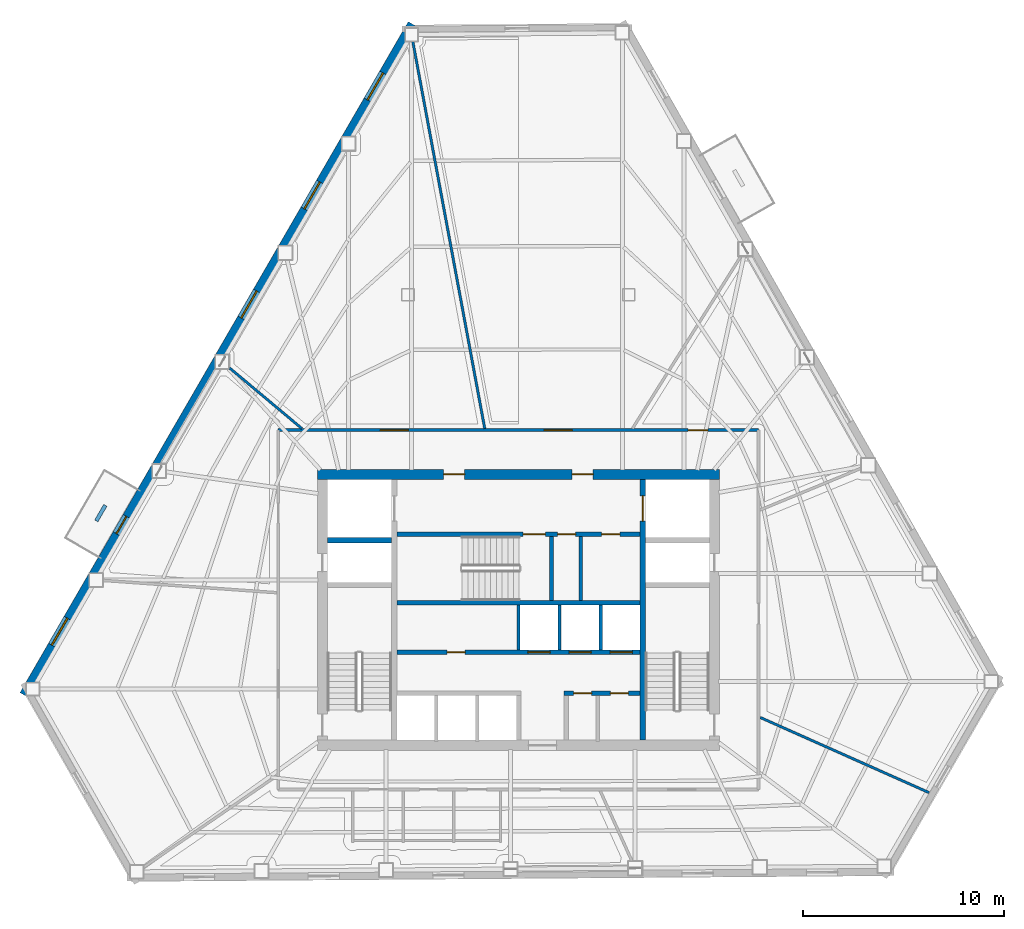
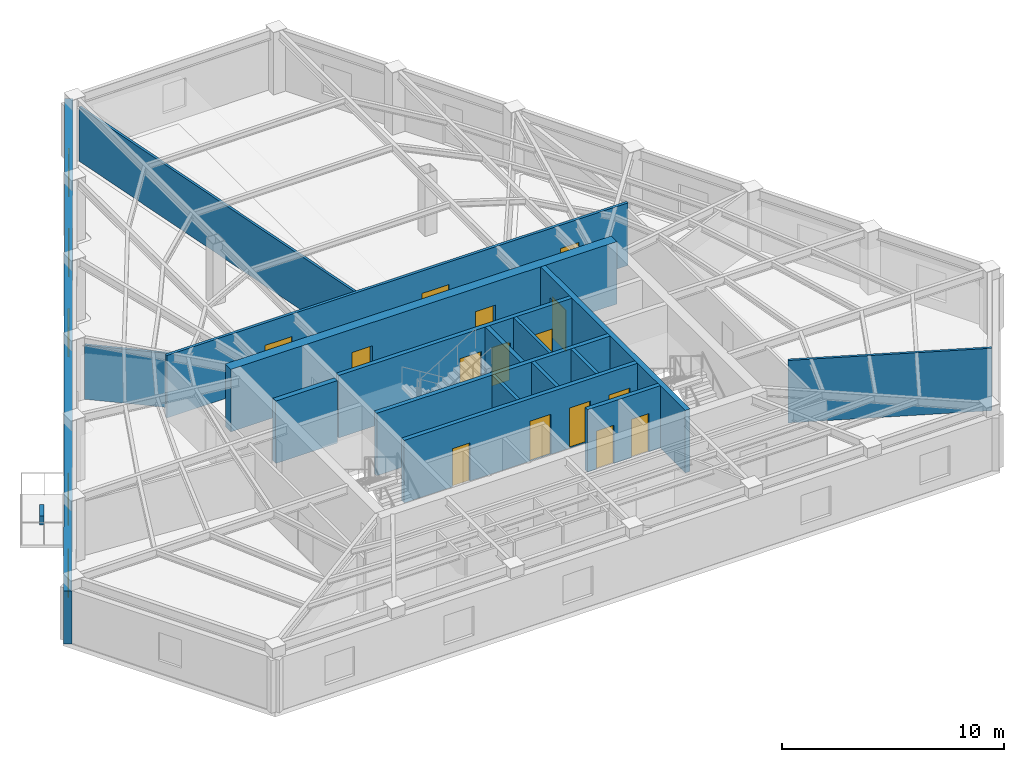
# One storey, part 6 of 10: 18 walls, 16 doors, 4 windows, 20 openings.
"""IFC4 building model written with IfcOpenShell, lengths in metres."""

from ifc_helpers import new_model, si_unit, direction, frame, frame_2d, origin, place, context, subcontext, project, spatial, rectangle, extrude, material, layer, layer_set, type_object, element, fill, save


model = new_model("IFC4")

# Units and contexts
model_context = context("Model", 3, precision=1e-05, world=origin(), true_north=direction((0.0, 1.0)))
body_context = subcontext(model_context, "Body", "Model", "MODEL_VIEW")
ifc_project = project(units=[si_unit("LENGTHUNIT", "METRE"), si_unit("AREAUNIT", "SQUARE_METRE"), si_unit("VOLUMEUNIT", "CUBIC_METRE"), si_unit("PLANEANGLEUNIT", "RADIAN"), si_unit("MASSUNIT", "GRAM", prefix="KILO")], contexts=[model_context])

# Site, building, storey
site_placement = place(None, origin())
site = spatial("IfcSite", under=ifc_project, at=site_placement, CompositionType="ELEMENT")
building_placement = place(site_placement, origin())
building = spatial("IfcBuilding", under=site, at=building_placement, Name="Kavelnor Concourse Tower", CompositionType="ELEMENT")
storey_placement = place(building_placement, frame((0.0, 0.0, 150.949951171875)))
storey = spatial("IfcBuildingStorey", under=building, at=storey_placement, Name="L38", CompositionType="ELEMENT", Elevation=150.949951171875)

# Wall, openings, doors
ifc_material_1 = material(Name="Concrete C60/75", Category="concrete")
ifc_layer_1 = layer(ifc_material_1, 0.5, Name="Concrete C60/75")
ifc_layer_set_1 = layer_set([ifc_layer_1], Name="Concrete C60/75")
wall_type_1 = type_object("IfcWallType", Name="WL-CORE-Z2-500", PredefinedType="SOLIDWALL", material=ifc_layer_set_1)
wall_1_placement = place(storey_placement, frame((27.97998046875, 22.85009765625, 0.0), z_axis=(0.0, 0.0, 1.0), x_axis=(1.0, 0.0, 0.0)))
wall_1 = element("IfcWall", 1, at=wall_1_placement, inside=storey, type_object=wall_type_1, Name="L38 Central Core North Shear Wall", PredefinedType="SOLIDWALL", context=body_context, shape_type="SweptSolid", body=[
    extrude(rectangle(XDim=20.0400390625, YDim=0.5, at=frame_2d((10.02001953125, 0.0))), origin(), (0.0, 0.0, 1.0), 3.429931640625),
])
opening_1_placement = place(wall_1_placement, frame((6.294921875, 0.0, 0.0)))
opening_1 = element("IfcOpeningElement", 2, at=opening_1_placement, cuts=wall_1, Name="Opening FD-105", PredefinedType="OPENING", context=body_context, shape_type="SweptSolid", body=[
    extrude(rectangle(XDim=1.050048828125, YDim=2.14990234375, at=frame_2d((0.52490234375, 1.074951171875))), frame((0.0, 0.260009765625, 0.0), z_axis=(0.0, -1.0, 0.0), x_axis=(1.0, 0.0, 0.0)), (0.0, 0.0, 1.0), 0.52001953125),
])
opening_2_placement = place(wall_1_placement, frame((12.695068359375, 0.0, 0.0)))
opening_2 = element("IfcOpeningElement", 3, at=opening_2_placement, cuts=wall_1, Name="Opening FD-105", PredefinedType="OPENING", context=body_context, shape_type="SweptSolid", body=[
    extrude(rectangle(XDim=1.050048828125, YDim=2.14990234375, at=frame_2d((0.52490234375, 1.074951171875))), frame((0.0, 0.260009765625, 0.0), z_axis=(0.0, -1.0, 0.0), x_axis=(1.0, 0.0, 0.0)), (0.0, 0.0, 1.0), 0.52001953125),
])
ifc_material_2 = material(Name="Steel Grade 350", Category="steel")
door_type_1 = type_object("IfcDoorType", Name="DR-LOBBY-FIRE-1050", OperationType="NOTDEFINED", PredefinedType="DOOR", material=ifc_material_2)
door_1_placement = place(opening_1_placement, origin())
door_1 = element("IfcDoor", 4, at=door_1_placement, inside=storey, type_object=door_type_1, Name="L38 Emergency Lift Lobby West Door", OperationType="SINGLE_SWING_LEFT", OverallHeight=2.14990234375, OverallWidth=1.050048828125, PredefinedType="DOOR", context=body_context, shape_type="SweptSolid", body=[
    extrude(rectangle(XDim=1.050048828125, YDim=2.14990234375, at=frame_2d((0.52490234375, 1.074951171875))), frame((0.0, 0.02490234375, 0.0), z_axis=(0.0, -1.0, 0.0), x_axis=(1.0, 0.0, 0.0)), (0.0, 0.0, 1.0), 0.050048828125),
])
fill(opening_1, door_1)
door_2_placement = place(opening_2_placement, origin())
door_2 = element("IfcDoor", 5, at=door_2_placement, inside=storey, type_object=door_type_1, Name="L38 Emergency Lift Lobby East Door", OperationType="SINGLE_SWING_RIGHT", OverallHeight=2.14990234375, OverallWidth=1.050048828125, PredefinedType="DOOR", context=body_context, shape_type="SweptSolid", body=[
    extrude(rectangle(XDim=1.050048828125, YDim=2.14990234375, at=frame_2d((0.52490234375, 1.074951171875))), frame((0.0, 0.02490234375, 0.0), z_axis=(0.0, -1.0, 0.0), x_axis=(1.0, 0.0, 0.0)), (0.0, 0.0, 1.0), 0.050048828125),
])
fill(opening_2, door_2)

# Wall, openings, door, windows
ifc_material_3 = material(Name="Red-ochre clay face brick masonry", Category="masonry")
ifc_layer_2 = layer(ifc_material_3, 0.3798828125, Name="Red-ochre clay face brick masonry")
ifc_layer_set_2 = layer_set([ifc_layer_2], Name="Red-ochre clay face brick masonry")
wall_type_2 = type_object("IfcWallType", Name="WL-EXT-RED-BRICK-PIER-380", PredefinedType="STANDARD", material=ifc_layer_set_2)
wall_2_placement = place(storey_placement, frame((13.327392578125, 11.87890625, 0.0), z_axis=(0.0, 0.0, 1.0), x_axis=(0.500913687278, 0.865497243148, 0.0)))
wall_2 = element("IfcWall", 6, at=wall_2_placement, inside=storey, type_object=wall_type_2, Name="L38 Exterior Brick Facade Wall E1", PredefinedType="STANDARD", context=body_context, shape_type="SweptSolid", body=[
    extrude(rectangle(XDim=38.627685546875, YDim=0.3798828125, at=frame_2d((19.31396484375, 0.0))), origin(), (0.0, 0.0, 1.0), 2.88916015625),
])
opening_3_placement = place(wall_2_placement, frame((9.2568359375, 0.0, 0.0)))
opening_3 = element("IfcOpeningElement", 7, at=opening_3_placement, cuts=wall_2, Name="Opening BD-100", PredefinedType="OPENING", context=body_context, shape_type="SweptSolid", body=[
    extrude(rectangle(XDim=1.0, YDim=2.199951171875, at=frame_2d((0.5, 1.10009765625))), frame((0.0, 0.199951171875, 0.0), z_axis=(0.0, -1.0, 0.0), x_axis=(1.0, 0.0, 0.0)), (0.0, 0.0, 1.0), 0.39990234375),
])
opening_4_placement = place(wall_2_placement, frame((34.238525390625, 0.0, 0.550048828125)))
opening_4 = element("IfcOpeningElement", 8, at=opening_4_placement, cuts=wall_2, Name="Opening W-02", PredefinedType="OPENING", context=body_context, shape_type="SweptSolid", body=[
    extrude(rectangle(XDim=1.550048828125, YDim=1.60009765625, at=frame_2d((0.77490234375, 0.800048828125))), frame((0.0, 0.199951171875, 0.0), z_axis=(0.0, -1.0, 0.0), x_axis=(1.0, 0.0, 0.0)), (0.0, 0.0, 1.0), 0.39990234375),
])
opening_5_placement = place(wall_2_placement, frame((27.958984375, 0.0, 0.550048828125)))
opening_5 = element("IfcOpeningElement", 9, at=opening_5_placement, cuts=wall_2, Name="Opening W-02", PredefinedType="OPENING", context=body_context, shape_type="SweptSolid", body=[
    extrude(rectangle(XDim=1.550048828125, YDim=1.60009765625, at=frame_2d((0.77490234375, 0.800048828125))), frame((0.0, 0.199951171875, 0.0), z_axis=(0.0, -1.0, 0.0), x_axis=(1.0, 0.0, 0.0)), (0.0, 0.0, 1.0), 0.39990234375),
])
opening_6_placement = place(wall_2_placement, frame((21.67919921875, 0.0, 0.550048828125)))
opening_6 = element("IfcOpeningElement", 10, at=opening_6_placement, cuts=wall_2, Name="Opening W-02", PredefinedType="OPENING", context=body_context, shape_type="SweptSolid", body=[
    extrude(rectangle(XDim=1.550048828125, YDim=1.60009765625, at=frame_2d((0.77490234375, 0.800048828125))), frame((0.0, 0.199951171875, 0.0), z_axis=(0.0, -1.0, 0.0), x_axis=(1.0, 0.0, 0.0)), (0.0, 0.0, 1.0), 0.39990234375),
])
opening_7_placement = place(wall_2_placement, frame((2.840087890625, 0.0, 0.550048828125)))
opening_7 = element("IfcOpeningElement", 11, at=opening_7_placement, cuts=wall_2, Name="Opening W-02", PredefinedType="OPENING", context=body_context, shape_type="SweptSolid", body=[
    extrude(rectangle(XDim=1.550048828125, YDim=1.60009765625, at=frame_2d((0.77490234375, 0.800048828125))), frame((0.0, 0.199951171875, 0.0), z_axis=(0.0, -1.0, 0.0), x_axis=(1.0, 0.0, 0.0)), (0.0, 0.0, 1.0), 0.39990234375),
])
ifc_material_4 = material(Name="Anodised aluminium 6063-T6", Category="aluminium")
door_type_2 = type_object("IfcDoorType", Name="DR-BALCONY-EXT-1000", OperationType="NOTDEFINED", PredefinedType="DOOR", material=ifc_material_4)
door_3_placement = place(opening_3_placement, origin())
door_3 = element("IfcDoor", 12, at=door_3_placement, inside=storey, type_object=door_type_2, Name="L38 Tree Balcony 2 Glazed Door", OperationType="SINGLE_SWING_RIGHT", OverallHeight=2.199951171875, OverallWidth=1.0, PredefinedType="DOOR", context=body_context, shape_type="SweptSolid", body=[
    extrude(rectangle(XDim=1.0, YDim=2.199951171875, at=frame_2d((0.5, 1.10009765625))), frame((0.0, 0.02490234375, 0.0), z_axis=(0.0, -1.0, 0.0), x_axis=(1.0, 0.0, 0.0)), (0.0, 0.0, 1.0), 0.050048828125),
])
fill(opening_3, door_3)
ifc_material_5 = material(Name="Double low-E argon insulated glazing", Category="glass")
window_type = type_object("IfcWindowType", Name="WIN-PIER-Z2-1650", PartitioningType="SINGLE_PANEL", PredefinedType="WINDOW", material=ifc_material_5)
window_1_placement = place(opening_4_placement, origin())
window_1 = element("IfcWindow", 13, at=window_1_placement, inside=storey, type_object=window_type, Name="L38 Deep-Set Brick Pier Window F0-B0", OverallHeight=1.60009765625, OverallWidth=1.550048828125, PartitioningType="SINGLE_PANEL", PredefinedType="WINDOW", context=body_context, shape_type="SweptSolid", body=[
    extrude(rectangle(XDim=1.550048828125, YDim=1.60009765625, at=frame_2d((0.77490234375, 0.800048828125))), frame((0.0, 0.030029296875, 0.0), z_axis=(0.0, -1.0, 0.0), x_axis=(1.0, 0.0, 0.0)), (0.0, 0.0, 1.0), 0.06005859375),
])
fill(opening_4, window_1)
window_2_placement = place(opening_5_placement, origin())
window_2 = element("IfcWindow", 14, at=window_2_placement, inside=storey, type_object=window_type, Name="L38 Deep-Set Brick Pier Window F0-B1", OverallHeight=1.60009765625, OverallWidth=1.550048828125, PartitioningType="SINGLE_PANEL", PredefinedType="WINDOW", context=body_context, shape_type="SweptSolid", body=[
    extrude(rectangle(XDim=1.550048828125, YDim=1.60009765625, at=frame_2d((0.77490234375, 0.800048828125))), frame((0.0, 0.030029296875, 0.0), z_axis=(0.0, -1.0, 0.0), x_axis=(1.0, 0.0, 0.0)), (0.0, 0.0, 1.0), 0.06005859375),
])
fill(opening_5, window_2)
window_3_placement = place(opening_6_placement, origin())
window_3 = element("IfcWindow", 15, at=window_3_placement, inside=storey, type_object=window_type, Name="L38 Deep-Set Brick Pier Window F0-B2", OverallHeight=1.60009765625, OverallWidth=1.550048828125, PartitioningType="SINGLE_PANEL", PredefinedType="WINDOW", context=body_context, shape_type="SweptSolid", body=[
    extrude(rectangle(XDim=1.550048828125, YDim=1.60009765625, at=frame_2d((0.77490234375, 0.800048828125))), frame((0.0, 0.030029296875, 0.0), z_axis=(0.0, -1.0, 0.0), x_axis=(1.0, 0.0, 0.0)), (0.0, 0.0, 1.0), 0.06005859375),
])
fill(opening_6, window_3)
window_4_placement = place(opening_7_placement, origin())
window_4 = element("IfcWindow", 16, at=window_4_placement, inside=storey, type_object=window_type, Name="L38 Deep-Set Brick Pier Window F0-B5", OverallHeight=1.60009765625, OverallWidth=1.550048828125, PartitioningType="SINGLE_PANEL", PredefinedType="WINDOW", context=body_context, shape_type="SweptSolid", body=[
    extrude(rectangle(XDim=1.550048828125, YDim=1.60009765625, at=frame_2d((0.77490234375, 0.800048828125))), frame((0.0, 0.030029296875, 0.0), z_axis=(0.0, -1.0, 0.0), x_axis=(1.0, 0.0, 0.0)), (0.0, 0.0, 1.0), 0.06005859375),
])
fill(opening_7, window_4)

# Wall, openings, doors
ifc_material_6 = material(Name="Gypsum plasterboard on light-gauge steel studs", Category="steel")
ifc_layer_3 = layer(ifc_material_6, 0.14501953125, Name="Gypsum plasterboard on light-gauge steel studs")
ifc_layer_set_3 = layer_set([ifc_layer_3], Name="Gypsum plasterboard on light-gauge steel studs")
wall_type_3 = type_object("IfcWallType", Name="WL-INT-CORR-145", PredefinedType="PARTITIONING", material=ifc_layer_set_3)
wall_3_placement = place(storey_placement, frame((49.969970703125, 25.050048828125, 0.0), z_axis=(0.0, 0.0, 1.0), x_axis=(-1.0, 0.0, 0.0)))
wall_3 = element("IfcWall", 17, at=wall_3_placement, inside=storey, type_object=wall_type_3, Name="L38 Corridor Wall WL-L38-CR-02", PredefinedType="PARTITIONING", context=body_context, shape_type="SweptSolid", body=[
    extrude(rectangle(XDim=23.93994140625, YDim=0.14501953125, at=frame_2d((11.969970703125, 0.0))), origin(), (0.0, 0.0, 1.0), 3.429931640625),
])
opening_8_placement = place(wall_3_placement, frame((2.535888671875, 0.0, 0.0)))
opening_8 = element("IfcOpeningElement", 18, at=opening_8_placement, cuts=wall_3, Name="Opening OD-098", PredefinedType="OPENING", context=body_context, shape_type="SweptSolid", body=[
    extrude(rectangle(XDim=0.97998046875, YDim=2.14990234375, at=frame_2d((0.489990234375, 1.074951171875))), frame((0.0, 0.08251953125, 0.0), z_axis=(0.0, -1.0, 0.0), x_axis=(1.0, 0.0, 0.0)), (0.0, 0.0, 1.0), 0.1650390625),
])
opening_9_placement = place(wall_3_placement, frame((9.289306640625, 0.0, 0.0)))
opening_9 = element("IfcOpeningElement", 19, at=opening_9_placement, cuts=wall_3, Name="Opening SD-140", PredefinedType="OPENING", context=body_context, shape_type="SweptSolid", body=[
    extrude(rectangle(XDim=1.39990234375, YDim=2.199951171875, at=frame_2d((0.699951171875, 1.10009765625))), frame((0.0, 0.08251953125, 0.0), z_axis=(0.0, -1.0, 0.0), x_axis=(1.0, 0.0, 0.0)), (0.0, 0.0, 1.0), 0.1650390625),
])
opening_10_placement = place(wall_3_placement, frame((17.451416015625, 0.0, 0.0)))
opening_10 = element("IfcOpeningElement", 20, at=opening_10_placement, cuts=wall_3, Name="Opening SD-140", PredefinedType="OPENING", context=body_context, shape_type="SweptSolid", body=[
    extrude(rectangle(XDim=1.39990234375, YDim=2.199951171875, at=frame_2d((0.699951171875, 1.10009765625))), frame((0.0, 0.08251953125, 0.0), z_axis=(0.0, -1.0, 0.0), x_axis=(1.0, 0.0, 0.0)), (0.0, 0.0, 1.0), 0.1650390625),
])
ifc_material_7 = material(Name="Solid-core hardwood timber", Category="wood")
door_type_3 = type_object("IfcDoorType", Name="DR-OFFICE-980", OperationType="NOTDEFINED", PredefinedType="DOOR", material=ifc_material_7)
door_4_placement = place(opening_8_placement, origin())
door_4 = element("IfcDoor", 21, at=door_4_placement, inside=storey, type_object=door_type_3, Name="L38 Executive Dining Room 01 Door", OperationType="SINGLE_SWING_RIGHT", OverallHeight=2.14990234375, OverallWidth=0.97998046875, PredefinedType="DOOR", context=body_context, shape_type="SweptSolid", body=[
    extrude(rectangle(XDim=0.97998046875, YDim=2.14990234375, at=frame_2d((0.489990234375, 1.074951171875))), frame((0.0, 0.02490234375, 0.0), z_axis=(0.0, -1.0, 0.0), x_axis=(1.0, 0.0, 0.0)), (0.0, 0.0, 1.0), 0.050048828125),
])
fill(opening_8, door_4)
door_type_4 = type_object("IfcDoorType", Name="DR-SUITE-ENTRY-1400", OperationType="NOTDEFINED", PredefinedType="DOOR", material=ifc_material_7)
door_5_placement = place(opening_9_placement, origin())
door_5 = element("IfcDoor", 22, at=door_5_placement, inside=storey, type_object=door_type_4, Name="L38 Tenant Bookstore Retail Shop 02 Door", OperationType="SINGLE_SWING_LEFT", OverallHeight=2.199951171875, OverallWidth=1.39990234375, PredefinedType="DOOR", context=body_context, shape_type="SweptSolid", body=[
    extrude(rectangle(XDim=1.39990234375, YDim=2.199951171875, at=frame_2d((0.699951171875, 1.10009765625))), frame((0.0, 0.02490234375, 0.0), z_axis=(0.0, -1.0, 0.0), x_axis=(1.0, 0.0, 0.0)), (0.0, 0.0, 1.0), 0.050048828125),
])
fill(opening_9, door_5)
door_6_placement = place(opening_10_placement, origin())
door_6 = element("IfcDoor", 23, at=door_6_placement, inside=storey, type_object=door_type_4, Name="L38 Architectural Design Studio 03 Door", OperationType="SINGLE_SWING_RIGHT", OverallHeight=2.199951171875, OverallWidth=1.39990234375, PredefinedType="DOOR", context=body_context, shape_type="SweptSolid", body=[
    extrude(rectangle(XDim=1.39990234375, YDim=2.199951171875, at=frame_2d((0.699951171875, 1.10009765625))), frame((0.0, 0.02490234375, 0.0), z_axis=(0.0, -1.0, 0.0), x_axis=(1.0, 0.0, 0.0)), (0.0, 0.0, 1.0), 0.050048828125),
])
fill(opening_10, door_6)

# Walls
ifc_layer_4 = layer(ifc_material_6, 0.1650390625, Name="Gypsum plasterboard on light-gauge steel studs")
ifc_layer_set_4 = layer_set([ifc_layer_4], Name="Gypsum plasterboard on light-gauge steel studs")
wall_type_4 = type_object("IfcWallType", Name="WL-INT-FIRE-165", PredefinedType="PARTITIONING", material=ifc_layer_set_4)
for number, where, z_axis, x_axis, name in (
    (24, (38.0, 14.10009765625, 0.0), (0.0, 0.0, 1.0), (0.0, 1.0, 0.0), "L38 Reclaimed Core Zone Partition"),
    (25, (40.050048828125, 14.10009765625, 0.0), (0.0, 0.0, 1.0), (0.0, 1.0, 0.0), "L38 Lift Shaft Divider LP4"),
    (26, (42.10009765625, 14.10009765625, 0.0), (0.0, 0.0, 1.0), (0.0, 1.0, 0.0), "L38 Lift Shaft Divider LP5"),
):
    element("IfcWall", number, at=place(storey_placement, frame(where, z_axis=z_axis, x_axis=x_axis)), inside=storey, type_object=wall_type_4, Name=name, PredefinedType="PARTITIONING", context=body_context, shape_type="SweptSolid", body=[
        extrude(rectangle(XDim=2.239990234375, YDim=0.1650390625, at=frame_2d((1.1201171875, 0.0))), origin(), (0.0, 0.0, 1.0), 3.429931640625),
    ])
wall_4_placement = place(storey_placement, frame((41.10009765625, 16.56005859375, 0.0), z_axis=(0.0, 0.0, 1.0), x_axis=(0.0, 1.0, 0.0)))
element("IfcWall", 27, at=wall_4_placement, inside=storey, type_object=wall_type_4, Name="L38 Core Support West Divider", PredefinedType="PARTITIONING", context=body_context, shape_type="SweptSolid", body=[
    extrude(rectangle(XDim=3.199951171875, YDim=0.1650390625, at=frame_2d((1.60009765625, 0.0))), origin(), (0.0, 0.0, 1.0), 3.429931640625),
])
ifc_layer_5 = layer(ifc_material_6, 0.125, Name="Gypsum plasterboard on light-gauge steel studs")
ifc_layer_set_5 = layer_set([ifc_layer_5], Name="Gypsum plasterboard on light-gauge steel studs")
wall_type_5 = type_object("IfcWallType", Name="WL-INT-SUITE-125", PredefinedType="PARTITIONING", material=ifc_layer_set_5)
wall_5_placement = place(storey_placement, frame((36.32177734375, 25.130615234375, 0.0), z_axis=(0.0, 0.0, 1.0), x_axis=(-0.182723840281, 0.983164278335, 0.0)))
element("IfcWall", 28, at=wall_5_placement, inside=storey, type_object=wall_type_5, Name="L38 Radial Suite Partition 03", PredefinedType="PARTITIONING", context=body_context, shape_type="SweptSolid", body=[
    extrude(rectangle(XDim=19.616943359375, YDim=0.125, at=frame_2d((9.80859375, 0.0))), origin(), (0.0, 0.0, 1.0), 2.970947265625),
])
wall_6_placement = place(storey_placement, frame((27.213134765625, 25.130615234375, 0.0), z_axis=(0.0, 0.0, 1.0), x_axis=(-0.766769547329, 0.641922472958, 0.0)))
element("IfcWall", 29, at=wall_6_placement, inside=storey, type_object=wall_type_5, Name="L38 Radial Suite Partition 04", PredefinedType="PARTITIONING", context=body_context, shape_type="SweptSolid", body=[
    extrude(rectangle(XDim=4.70703125, YDim=0.125, at=frame_2d((2.353515625, 0.0))), origin(), (0.0, 0.0, 1.0), 2.970947265625),
])
wall_7_placement = place(storey_placement, frame((50.050537109375, 10.73486328125, 0.0), z_axis=(0.0, 0.0, 1.0), x_axis=(0.913538089358, -0.406753192111, 0.0)))
element("IfcWall", 30, at=wall_7_placement, inside=storey, type_object=wall_type_5, Name="L38 Radial Suite Partition 08", PredefinedType="PARTITIONING", context=body_context, shape_type="SweptSolid", body=[
    extrude(rectangle(XDim=9.2109375, YDim=0.125, at=frame_2d((4.60546875, 0.0))), origin(), (0.0, 0.0, 1.0), 3.429931640625),
])
ifc_material_8 = material(Name="Architectural precast planter concrete C40/50", Category="concrete")
ifc_layer_6 = layer(ifc_material_8, 0.18994140625, Name="Architectural precast planter concrete C40/50")
ifc_layer_set_6 = layer_set([ifc_layer_6], Name="Architectural precast planter concrete C40/50")
wall_type_6 = type_object("IfcWallType", Name="WL-PLANTER-KERB-190", PredefinedType="USERDEFINED", material=ifc_layer_set_6)
wall_8_placement = place(storey_placement, frame((17.414794921875, 21.306396484375, 0.0), z_axis=(0.0, 0.0, 1.0), x_axis=(-0.501068351936, -0.865407711248, 0.0)))
element("IfcWall", 31, at=wall_8_placement, inside=storey, type_object=wall_type_6, Name="L38 Tree Balcony 2 Tree Planter Kerb", ObjectType="PLANTER", PredefinedType="USERDEFINED", context=body_context, shape_type="SweptSolid", body=[
    extrude(rectangle(XDim=0.89990234375, YDim=0.18994140625, at=frame_2d((0.449951171875, 0.0))), origin(), (0.0, 0.0, 1.0), 0.5),
])

# Wall, openings, doors
ifc_material_9 = material(Name="Concrete C50/60", Category="concrete")
ifc_layer_7 = layer(ifc_material_9, 0.219970703125, Name="Concrete C50/60")
ifc_layer_set_7 = layer_set([ifc_layer_7], Name="Concrete C50/60")
wall_type_7 = type_object("IfcWallType", Name="WL-SHAFT-220", PredefinedType="SOLIDWALL", material=ifc_layer_set_7)
wall_9_placement = place(storey_placement, frame((31.93994140625, 19.8701171875, 0.0), z_axis=(0.0, 0.0, 1.0), x_axis=(1.0, 0.0, 0.0)))
wall_9 = element("IfcWall", 32, at=wall_9_placement, inside=storey, type_object=wall_type_7, Name="L38 Emergency Lift Lobby South Wall", PredefinedType="SOLIDWALL", context=body_context, shape_type="SweptSolid", body=[
    extrude(rectangle(XDim=12.1201171875, YDim=0.219970703125, at=frame_2d((6.06005859375, 0.0))), origin(), (0.0, 0.0, 1.0), 3.429931640625),
])
opening_11_placement = place(wall_9_placement, frame((6.300048828125, 0.0, 0.0)))
opening_11 = element("IfcOpeningElement", 33, at=opening_11_placement, cuts=wall_9, Name="Opening FD-110", PredefinedType="OPENING", context=body_context, shape_type="SweptSolid", body=[
    extrude(rectangle(XDim=1.10009765625, YDim=2.14990234375, at=frame_2d((0.550048828125, 1.074951171875))), frame((0.0, 0.1201171875, 0.0), z_axis=(0.0, -1.0, 0.0), x_axis=(1.0, 0.0, 0.0)), (0.0, 0.0, 1.0), 0.239990234375),
])
opening_12_placement = place(wall_9_placement, frame((8.010009765625, 0.0, 0.0)))
opening_12 = element("IfcOpeningElement", 34, at=opening_12_placement, cuts=wall_9, Name="Opening FD-090", PredefinedType="OPENING", context=body_context, shape_type="SweptSolid", body=[
    extrude(rectangle(XDim=0.89990234375, YDim=2.10009765625, at=frame_2d((0.449951171875, 1.050048828125))), frame((0.0, 0.1201171875, 0.0), z_axis=(0.0, -1.0, 0.0), x_axis=(1.0, 0.0, 0.0)), (0.0, 0.0, 1.0), 0.239990234375),
])
opening_13_placement = place(wall_9_placement, frame((10.2099609375, 0.0, 0.0)))
opening_13 = element("IfcOpeningElement", 35, at=opening_13_placement, cuts=wall_9, Name="Opening FD-090", PredefinedType="OPENING", context=body_context, shape_type="SweptSolid", body=[
    extrude(rectangle(XDim=0.89990234375, YDim=2.10009765625, at=frame_2d((0.449951171875, 1.050048828125))), frame((0.0, 0.1201171875, 0.0), z_axis=(0.0, -1.0, 0.0), x_axis=(1.0, 0.0, 0.0)), (0.0, 0.0, 1.0), 0.239990234375),
])
door_type_5 = type_object("IfcDoorType", Name="DR-RISER-FIRE-900", OperationType="NOTDEFINED", PredefinedType="DOOR", material=ifc_material_2)
door_7_placement = place(opening_12_placement, origin())
door_7 = element("IfcDoor", 36, at=door_7_placement, inside=storey, type_object=door_type_5, Name="L38 Cleaner Door", OperationType="SINGLE_SWING_RIGHT", OverallHeight=2.10009765625, OverallWidth=0.89990234375, PredefinedType="DOOR", context=body_context, shape_type="SweptSolid", body=[
    extrude(rectangle(XDim=0.89990234375, YDim=2.10009765625, at=frame_2d((0.449951171875, 1.050048828125))), frame((0.0, 0.02490234375, 0.0), z_axis=(0.0, -1.0, 0.0), x_axis=(1.0, 0.0, 0.0)), (0.0, 0.0, 1.0), 0.050048828125),
])
fill(opening_12, door_7)
door_8_placement = place(opening_13_placement, origin())
door_8 = element("IfcDoor", 37, at=door_8_placement, inside=storey, type_object=door_type_5, Name="L38 UPS Room Door", OperationType="SINGLE_SWING_LEFT", OverallHeight=2.10009765625, OverallWidth=0.89990234375, PredefinedType="DOOR", context=body_context, shape_type="SweptSolid", body=[
    extrude(rectangle(XDim=0.89990234375, YDim=2.10009765625, at=frame_2d((0.449951171875, 1.050048828125))), frame((0.0, 0.02490234375, 0.0), z_axis=(0.0, -1.0, 0.0), x_axis=(1.0, 0.0, 0.0)), (0.0, 0.0, 1.0), 0.050048828125),
])
fill(opening_13, door_8)
door_type_6 = type_object("IfcDoorType", Name="DR-STAIR-FIRE-1100", OperationType="NOTDEFINED", PredefinedType="DOOR", material=ifc_material_2)
door_9_placement = place(opening_11_placement, origin())
door_9 = element("IfcDoor", 38, at=door_9_placement, inside=storey, type_object=door_type_6, Name="L38 Stair ST3 Fire Door", OperationType="SINGLE_SWING_LEFT", OverallHeight=2.14990234375, OverallWidth=1.10009765625, PredefinedType="DOOR", context=body_context, shape_type="SweptSolid", body=[
    extrude(rectangle(XDim=1.10009765625, YDim=2.14990234375, at=frame_2d((0.550048828125, 1.074951171875))), frame((0.0, 0.02490234375, 0.0), z_axis=(0.0, -1.0, 0.0), x_axis=(1.0, 0.0, 0.0)), (0.0, 0.0, 1.0), 0.050048828125),
])
fill(opening_11, door_9)

# Walls
wall_10_placement = place(storey_placement, frame((31.93994140625, 16.449951171875, 0.0), z_axis=(0.0, 0.0, 1.0), x_axis=(1.0, 0.0, 0.0)))
element("IfcWall", 39, at=wall_10_placement, inside=storey, type_object=wall_type_7, Name="L38 Stair ST3 South Core Wall", PredefinedType="SOLIDWALL", context=body_context, shape_type="SweptSolid", body=[
    extrude(rectangle(XDim=12.1201171875, YDim=0.219970703125, at=frame_2d((6.06005859375, 0.0))), origin(), (0.0, 0.0, 1.0), 3.429931640625),
])
wall_11_placement = place(storey_placement, frame((39.64990234375, 16.56005859375, 0.0), z_axis=(0.0, 0.0, 1.0), x_axis=(0.0, 1.0, 0.0)))
element("IfcWall", 40, at=wall_11_placement, inside=storey, type_object=wall_type_7, Name="L38 Stair ST3 East Core Wall", PredefinedType="SOLIDWALL", context=body_context, shape_type="SweptSolid", body=[
    extrude(rectangle(XDim=3.199951171875, YDim=0.219970703125, at=frame_2d((1.60009765625, 0.0))), origin(), (0.0, 0.0, 1.0), 3.429931640625),
])

# Wall, openings, doors
wall_12_placement = place(storey_placement, frame((31.93994140625, 13.989990234375, 0.0), z_axis=(0.0, 0.0, 1.0), x_axis=(1.0, 0.0, 0.0)))
wall_12 = element("IfcWall", 41, at=wall_12_placement, inside=storey, type_object=wall_type_7, Name="L38 North Lift Row Shaft Wall", PredefinedType="SOLIDWALL", context=body_context, shape_type="SweptSolid", body=[
    extrude(rectangle(XDim=12.1201171875, YDim=0.219970703125, at=frame_2d((6.06005859375, 0.0))), origin(), (0.0, 0.0, 1.0), 3.429931640625),
])
opening_14_placement = place(wall_12_placement, frame((2.510009765625, 0.0, 0.0)))
opening_14 = element("IfcOpeningElement", 42, at=opening_14_placement, cuts=wall_12, Name="Opening FD-090", PredefinedType="OPENING", context=body_context, shape_type="SweptSolid", body=[
    extrude(rectangle(XDim=0.89990234375, YDim=2.10009765625, at=frame_2d((0.449951171875, 1.050048828125))), frame((0.0, 0.1201171875, 0.0), z_axis=(0.0, -1.0, 0.0), x_axis=(1.0, 0.0, 0.0)), (0.0, 0.0, 1.0), 0.239990234375),
])
opening_15_placement = place(wall_12_placement, frame((6.534912109375, 0.0, 0.0)))
opening_15 = element("IfcOpeningElement", 43, at=opening_15_placement, cuts=wall_12, Name="Opening LD-110", PredefinedType="OPENING", context=body_context, shape_type="SweptSolid", body=[
    extrude(rectangle(XDim=1.10009765625, YDim=2.199951171875, at=frame_2d((0.550048828125, 1.10009765625))), frame((0.0, 0.1201171875, 0.0), z_axis=(0.0, -1.0, 0.0), x_axis=(1.0, 0.0, 0.0)), (0.0, 0.0, 1.0), 0.239990234375),
])
opening_16_placement = place(wall_12_placement, frame((8.5849609375, 0.0, 0.0)))
opening_16 = element("IfcOpeningElement", 44, at=opening_16_placement, cuts=wall_12, Name="Opening LD-110", PredefinedType="OPENING", context=body_context, shape_type="SweptSolid", body=[
    extrude(rectangle(XDim=1.10009765625, YDim=2.199951171875, at=frame_2d((0.550048828125, 1.10009765625))), frame((0.0, 0.1201171875, 0.0), z_axis=(0.0, -1.0, 0.0), x_axis=(1.0, 0.0, 0.0)), (0.0, 0.0, 1.0), 0.239990234375),
])
opening_17_placement = place(wall_12_placement, frame((10.635009765625, 0.0, 0.0)))
opening_17 = element("IfcOpeningElement", 45, at=opening_17_placement, cuts=wall_12, Name="Opening LD-110", PredefinedType="OPENING", context=body_context, shape_type="SweptSolid", body=[
    extrude(rectangle(XDim=1.10009765625, YDim=2.199951171875, at=frame_2d((0.550048828125, 1.10009765625))), frame((0.0, 0.1201171875, 0.0), z_axis=(0.0, -1.0, 0.0), x_axis=(1.0, 0.0, 0.0)), (0.0, 0.0, 1.0), 0.239990234375),
])
door_type_7 = type_object("IfcDoorType", Name="DR-LIFT-SLIDING-1100", OperationType="NOTDEFINED", PredefinedType="DOOR", material=ifc_material_2)
door_10_placement = place(opening_15_placement, origin())
door_10 = element("IfcDoor", 46, at=door_10_placement, inside=storey, type_object=door_type_7, Name="L38 Lift LP4 Landing Door", OperationType="DOUBLE_DOOR_SLIDING", OverallHeight=2.199951171875, OverallWidth=1.10009765625, PredefinedType="DOOR", context=body_context, shape_type="SweptSolid", body=[
    extrude(rectangle(XDim=1.10009765625, YDim=2.199951171875, at=frame_2d((0.550048828125, 1.10009765625))), frame((0.0, 0.02490234375, 0.0), z_axis=(0.0, -1.0, 0.0), x_axis=(1.0, 0.0, 0.0)), (0.0, 0.0, 1.0), 0.050048828125),
])
fill(opening_15, door_10)
door_11_placement = place(opening_16_placement, origin())
door_11 = element("IfcDoor", 47, at=door_11_placement, inside=storey, type_object=door_type_7, Name="L38 Lift LP5 Landing Door", OperationType="DOUBLE_DOOR_SLIDING", OverallHeight=2.199951171875, OverallWidth=1.10009765625, PredefinedType="DOOR", context=body_context, shape_type="SweptSolid", body=[
    extrude(rectangle(XDim=1.10009765625, YDim=2.199951171875, at=frame_2d((0.550048828125, 1.10009765625))), frame((0.0, 0.02490234375, 0.0), z_axis=(0.0, -1.0, 0.0), x_axis=(1.0, 0.0, 0.0)), (0.0, 0.0, 1.0), 0.050048828125),
])
fill(opening_16, door_11)
door_12_placement = place(opening_17_placement, origin())
door_12 = element("IfcDoor", 48, at=door_12_placement, inside=storey, type_object=door_type_7, Name="L38 Lift LP6 Landing Door", OperationType="DOUBLE_DOOR_SLIDING", OverallHeight=2.199951171875, OverallWidth=1.10009765625, PredefinedType="DOOR", context=body_context, shape_type="SweptSolid", body=[
    extrude(rectangle(XDim=1.10009765625, YDim=2.199951171875, at=frame_2d((0.550048828125, 1.10009765625))), frame((0.0, 0.02490234375, 0.0), z_axis=(0.0, -1.0, 0.0), x_axis=(1.0, 0.0, 0.0)), (0.0, 0.0, 1.0), 0.050048828125),
])
fill(opening_17, door_12)
door_13_placement = place(opening_14_placement, origin())
door_13 = element("IfcDoor", 49, at=door_13_placement, inside=storey, type_object=door_type_5, Name="L38 Core IT Room Door", OperationType="SINGLE_SWING_LEFT", OverallHeight=2.10009765625, OverallWidth=0.89990234375, PredefinedType="DOOR", context=body_context, shape_type="SweptSolid", body=[
    extrude(rectangle(XDim=0.89990234375, YDim=2.10009765625, at=frame_2d((0.449951171875, 1.050048828125))), frame((0.0, 0.02490234375, 0.0), z_axis=(0.0, -1.0, 0.0), x_axis=(1.0, 0.0, 0.0)), (0.0, 0.0, 1.0), 0.050048828125),
])
fill(opening_14, door_13)

wall_13_placement = place(storey_placement, frame((40.280029296875, 11.949951171875, 0.0), z_axis=(0.0, 0.0, 1.0), x_axis=(1.0, 0.0, 0.0)))
wall_13 = element("IfcWall", 50, at=wall_13_placement, inside=storey, type_object=wall_type_7, Name="L38 Core South Support North Wall", PredefinedType="SOLIDWALL", context=body_context, shape_type="SweptSolid", body=[
    extrude(rectangle(XDim=3.780029296875, YDim=0.219970703125, at=frame_2d((1.89013671875, 0.0))), origin(), (0.0, 0.0, 1.0), 3.429931640625),
])
opening_18_placement = place(wall_13_placement, frame((0.469970703125, 0.0, 0.0)))
opening_18 = element("IfcOpeningElement", 51, at=opening_18_placement, cuts=wall_13, Name="Opening FD-090", PredefinedType="OPENING", context=body_context, shape_type="SweptSolid", body=[
    extrude(rectangle(XDim=0.89990234375, YDim=2.10009765625, at=frame_2d((0.449951171875, 1.050048828125))), frame((0.0, 0.1201171875, 0.0), z_axis=(0.0, -1.0, 0.0), x_axis=(1.0, 0.0, 0.0)), (0.0, 0.0, 1.0), 0.239990234375),
])
opening_19_placement = place(wall_13_placement, frame((2.300048828125, 0.0, 0.0)))
opening_19 = element("IfcOpeningElement", 52, at=opening_19_placement, cuts=wall_13, Name="Opening FD-090", PredefinedType="OPENING", context=body_context, shape_type="SweptSolid", body=[
    extrude(rectangle(XDim=0.89990234375, YDim=2.10009765625, at=frame_2d((0.449951171875, 1.050048828125))), frame((0.0, 0.1201171875, 0.0), z_axis=(0.0, -1.0, 0.0), x_axis=(1.0, 0.0, 0.0)), (0.0, 0.0, 1.0), 0.239990234375),
])
door_14_placement = place(opening_18_placement, origin())
door_14 = element("IfcDoor", 53, at=door_14_placement, inside=storey, type_object=door_type_5, Name="L38 Staff WC Door", OperationType="SINGLE_SWING_LEFT", OverallHeight=2.10009765625, OverallWidth=0.89990234375, PredefinedType="DOOR", context=body_context, shape_type="SweptSolid", body=[
    extrude(rectangle(XDim=0.89990234375, YDim=2.10009765625, at=frame_2d((0.449951171875, 1.050048828125))), frame((0.0, 0.02490234375, 0.0), z_axis=(0.0, -1.0, 0.0), x_axis=(1.0, 0.0, 0.0)), (0.0, 0.0, 1.0), 0.050048828125),
])
fill(opening_18, door_14)
door_15_placement = place(opening_19_placement, origin())
door_15 = element("IfcDoor", 54, at=door_15_placement, inside=storey, type_object=door_type_5, Name="L38 Core Comms Door", OperationType="SINGLE_SWING_RIGHT", OverallHeight=2.10009765625, OverallWidth=0.89990234375, PredefinedType="DOOR", context=body_context, shape_type="SweptSolid", body=[
    extrude(rectangle(XDim=0.89990234375, YDim=2.10009765625, at=frame_2d((0.449951171875, 1.050048828125))), frame((0.0, 0.02490234375, 0.0), z_axis=(0.0, -1.0, 0.0), x_axis=(1.0, 0.0, 0.0)), (0.0, 0.0, 1.0), 0.050048828125),
])
fill(opening_19, door_15)

# Wall, opening, door
ifc_layer_8 = layer(ifc_material_9, 0.260009765625, Name="Concrete C50/60")
ifc_layer_set_8 = layer_set([ifc_layer_8], Name="Concrete C50/60")
wall_type_8 = type_object("IfcWallType", Name="WL-SHAFT-260", PredefinedType="SHEAR", material=ifc_layer_set_8)
wall_14_placement = place(storey_placement, frame((44.18994140625, 9.60009765625, 0.0), z_axis=(0.0, 0.0, 1.0), x_axis=(0.0, 1.0, 0.0)))
wall_14 = element("IfcWall", 55, at=wall_14_placement, inside=storey, type_object=wall_type_8, Name="L38 Core East Wing Shear Wall", PredefinedType="SHEAR", context=body_context, shape_type="SweptSolid", body=[
    extrude(rectangle(XDim=13.0, YDim=0.260009765625, at=frame_2d((6.5, 0.0))), origin(), (0.0, 0.0, 1.0), 3.429931640625),
])
opening_20_placement = place(wall_14_placement, frame((10.925048828125, 0.0, 0.0)))
opening_20 = element("IfcOpeningElement", 56, at=opening_20_placement, cuts=wall_14, Name="Opening LD-125", PredefinedType="OPENING", context=body_context, shape_type="SweptSolid", body=[
    extrude(rectangle(XDim=1.25, YDim=2.25, at=frame_2d((0.625, 1.125))), frame((0.0, 0.14013671875, 0.0), z_axis=(0.0, -1.0, 0.0), x_axis=(1.0, 0.0, 0.0)), (0.0, 0.0, 1.0), 0.280029296875),
])
door_type_8 = type_object("IfcDoorType", Name="DR-LIFT-SLIDING-1250", OperationType="NOTDEFINED", PredefinedType="DOOR", material=ifc_material_2)
door_16_placement = place(opening_20_placement, origin())
door_16 = element("IfcDoor", 57, at=door_16_placement, inside=storey, type_object=door_type_8, Name="L38 Emergency Lift FL2 Landing Door", OperationType="DOUBLE_DOOR_SLIDING", OverallHeight=2.25, OverallWidth=1.25, PredefinedType="DOOR", context=body_context, shape_type="SweptSolid", body=[
    extrude(rectangle(XDim=1.25, YDim=2.25, at=frame_2d((0.625, 1.125))), frame((0.0, 0.02490234375, 0.0), z_axis=(0.0, -1.0, 0.0), x_axis=(1.0, 0.0, 0.0)), (0.0, 0.0, 1.0), 0.050048828125),
])
fill(opening_20, door_16)

# Wall
wall_15_placement = place(storey_placement, frame((28.47998046875, 19.570068359375, 0.0), z_axis=(0.0, 0.0, 1.0), x_axis=(1.0, 0.0, 0.0)))
element("IfcWall", 58, at=wall_15_placement, inside=storey, type_object=wall_type_8, Name="L38 Emergency Lift FL1 South Shaft Wall", PredefinedType="SHEAR", context=body_context, shape_type="SweptSolid", body=[
    extrude(rectangle(XDim=3.199951171875, YDim=0.260009765625, at=frame_2d((1.60009765625, 0.0))), origin(), (0.0, 0.0, 1.0), 3.429931640625),
])

save(model, "model.ifc")
